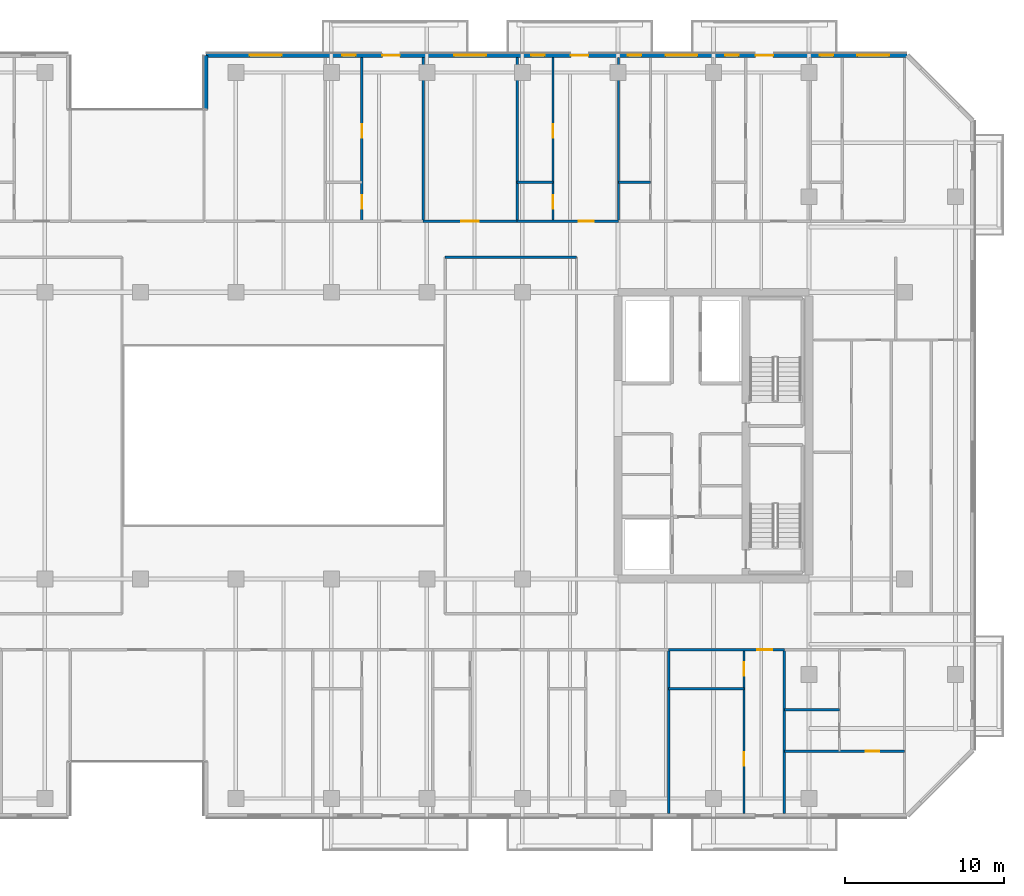
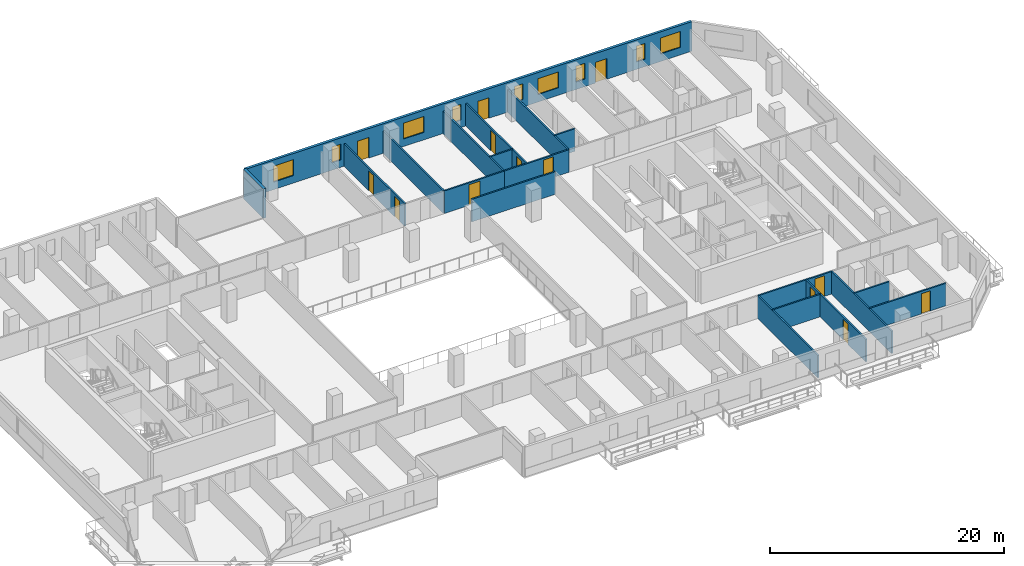
# One storey, part 14 of 23: 19 walls, 13 doors, 9 windows, 22 openings.
"""IFC4 building model written with IfcOpenShell, lengths in metres."""

from ifc_helpers import new_model, si_unit, direction, frame, frame_2d, origin, place, context, subcontext, project, spatial, rectangle, extrude, material, layer, layer_set, type_object, element, fill, save


model = new_model("IFC4")

# Units and contexts
model_context = context("Model", 3, precision=1e-05, world=origin(), true_north=direction((0.0, 1.0)))
body_context = subcontext(model_context, "Body", "Model", "MODEL_VIEW")
ifc_project = project(units=[si_unit("LENGTHUNIT", "METRE"), si_unit("AREAUNIT", "SQUARE_METRE"), si_unit("VOLUMEUNIT", "CUBIC_METRE"), si_unit("PLANEANGLEUNIT", "RADIAN"), si_unit("MASSUNIT", "GRAM", prefix="KILO")], contexts=[model_context])

# Site, building, storey
site_placement = place(None, origin())
site = spatial("IfcSite", under=ifc_project, at=site_placement, CompositionType="ELEMENT")
building_placement = place(site_placement, origin())
building = spatial("IfcBuilding", under=site, at=building_placement, Name="Tanjung Sevakor Pilgrim Tower", CompositionType="ELEMENT")
storey_placement = place(building_placement, frame((0.0, 0.0, 101.969970703125)))
storey = spatial("IfcBuildingStorey", under=building, at=storey_placement, Name="L28", CompositionType="ELEMENT", Elevation=101.969970703125)

# Walls
ifc_material_1 = material(Name="Concrete C40/50", Category="concrete")
ifc_layer_1 = layer(ifc_material_1, 0.14990234375)
ifc_layer_set_1 = layer_set([ifc_layer_1], Name="WT-COMP-150")
wall_type_1 = type_object("IfcWallType", Name="WT-COMP-150", PredefinedType="SOLIDWALL", material=ifc_layer_set_1)
wall_1_placement = place(storey_placement, frame((67.14990234375, 44.800048828125, 0.0), z_axis=(0.0, 0.0, 1.0), x_axis=(1.0, 0.0, 0.0)))
element("IfcWall", 1, at=wall_1_placement, inside=storey, type_object=wall_type_1, Name="L28 Partition IW-L28-030", PredefinedType="SOLIDWALL", context=body_context, shape_type="SweptSolid", body=[
    extrude(rectangle(XDim=8.25, YDim=0.14990234375, at=frame_2d((4.125, 0.0))), origin(), (0.0, 0.0, 1.0), 2.35009765625),
])
for number, where, z_axis, x_axis, name in (
    (2, (81.18701171875, 9.85009765625, 0.0), (0.0, 0.0, 1.0), (0.0, 1.0, 0.0), "L28 Partition IW-L28-068"),
    (3, (88.453857421875, 9.85009765625, 0.0), (0.0, 0.0, 1.0), (0.0, 1.0, 0.0), "L28 Partition IW-L28-072"),
):
    element("IfcWall", number, at=place(storey_placement, frame(where, z_axis=z_axis, x_axis=x_axis)), inside=storey, type_object=wall_type_1, Name=name, PredefinedType="SOLIDWALL", context=body_context, shape_type="SweptSolid", body=[
        extrude(rectangle(XDim=10.2998046875, YDim=0.14990234375, at=frame_2d((5.14990234375, 0.0))), origin(), (0.0, 0.0, 1.0), 2.35009765625),
    ])

# Wall, opening, door
wall_2_placement = place(storey_placement, frame((81.18701171875, 20.14990234375, 0.0), z_axis=(0.0, 0.0, 1.0), x_axis=(1.0, 0.0, 0.0)))
wall_2 = element("IfcWall", 4, at=wall_2_placement, inside=storey, type_object=wall_type_1, Name="L28 Partition IW-L28-075", PredefinedType="SOLIDWALL", context=body_context, shape_type="SweptSolid", body=[
    extrude(rectangle(XDim=7.266845703125, YDim=0.14990234375, at=frame_2d((3.63330078125, 0.0))), origin(), (0.0, 0.0, 1.0), 2.35009765625),
])
opening_1_placement = place(wall_2_placement, frame((5.56494140625, 0.0, 0.0)))
opening_1 = element("IfcOpeningElement", 5, at=opening_1_placement, cuts=wall_2, Name="Opening ID-FD2", PredefinedType="OPENING", context=body_context, shape_type="SweptSolid", body=[
    extrude(rectangle(XDim=0.949951171875, YDim=2.14990234375, at=frame_2d((0.47509765625, 1.074951171875))), frame((0.0, 0.0849609375, 0.0), z_axis=(0.0, -1.0, 0.0), x_axis=(1.0, 0.0, 0.0)), (0.0, 0.0, 1.0), 0.169921875),
])
ifc_material_2 = material(Name="Fire-Rated Timber", Category="wood")
door_type_1 = type_object("IfcDoorType", Name="DT-FIRE-950", OperationType="NOTDEFINED", PredefinedType="DOOR", material=ifc_material_2)
door_1_placement = place(opening_1_placement, origin())
door_1 = element("IfcDoor", 6, at=door_1_placement, inside=storey, type_object=door_type_1, Name="Hostel Quad Entrance", OperationType="SINGLE_SWING_LEFT", OverallHeight=2.14990234375, OverallWidth=0.949951171875, PredefinedType="DOOR", context=body_context, shape_type="SweptSolid", body=[
    extrude(rectangle(XDim=0.949951171875, YDim=2.14990234375, at=frame_2d((0.47509765625, 1.074951171875))), frame((0.0, 0.02490234375, 0.0), z_axis=(0.0, -1.0, 0.0), x_axis=(1.0, 0.0, 0.0)), (0.0, 0.0, 1.0), 0.050048828125),
])
fill(opening_1, door_1)

# Walls
for number, where, z_axis, x_axis, name in (
    (7, (65.761474609375, 47.050048828125, 0.0), (0.0, 0.0, 1.0), (0.0, 1.0, 0.0), "L28 Partition IW-L28-095"),
    (8, (71.6728515625, 47.050048828125, 0.0), (0.0, 0.0, 1.0), (0.0, 1.0, 0.0), "L28 Partition IW-L28-099"),
):
    element("IfcWall", number, at=place(storey_placement, frame(where, z_axis=z_axis, x_axis=x_axis)), inside=storey, type_object=wall_type_1, Name=name, PredefinedType="SOLIDWALL", context=body_context, shape_type="SweptSolid", body=[
        extrude(rectangle(XDim=10.300048828125, YDim=0.14990234375, at=frame_2d((5.14990234375, 0.0))), origin(), (0.0, 0.0, 1.0), 2.35009765625),
    ])

# Wall, opening, door
wall_3_placement = place(storey_placement, frame((65.761474609375, 47.050048828125, 0.0), z_axis=(0.0, 0.0, 1.0), x_axis=(1.0, 0.0, 0.0)))
wall_3 = element("IfcWall", 9, at=wall_3_placement, inside=storey, type_object=wall_type_1, Name="L28 Partition IW-L28-100", PredefinedType="SOLIDWALL", context=body_context, shape_type="SweptSolid", body=[
    extrude(rectangle(XDim=5.911376953125, YDim=0.14990234375, at=frame_2d((2.95556640625, 0.0))), origin(), (0.0, 0.0, 1.0), 2.35009765625),
])
opening_2_placement = place(wall_3_placement, frame((2.405517578125, 0.0, 0.0)))
opening_2 = element("IfcOpeningElement", 10, at=opening_2_placement, cuts=wall_3, Name="Opening ID-FD0", PredefinedType="OPENING", context=body_context, shape_type="SweptSolid", body=[
    extrude(rectangle(XDim=1.10009765625, YDim=2.14990234375, at=frame_2d((0.550048828125, 1.074951171875))), frame((0.0, 0.0849609375, 0.0), z_axis=(0.0, -1.0, 0.0), x_axis=(1.0, 0.0, 0.0)), (0.0, 0.0, 1.0), 0.169921875),
])
ifc_material_3 = material(Name="Fire-Rated Steel S355J2", Category="steel")
door_type_2 = type_object("IfcDoorType", Name="DT-FIRE-1100", OperationType="NOTDEFINED", PredefinedType="DOOR", material=ifc_material_3)
door_2_placement = place(opening_2_placement, origin())
door_2 = element("IfcDoor", 11, at=door_2_placement, inside=storey, type_object=door_type_2, Name="Communal Lounge Door", OperationType="SINGLE_SWING_RIGHT", OverallHeight=2.14990234375, OverallWidth=1.10009765625, PredefinedType="DOOR", context=body_context, shape_type="SweptSolid", body=[
    extrude(rectangle(XDim=1.10009765625, YDim=2.14990234375, at=frame_2d((0.550048828125, 1.074951171875))), frame((0.0, 0.02490234375, 0.0), z_axis=(0.0, -1.0, 0.0), x_axis=(1.0, 0.0, 0.0)), (0.0, 0.0, 1.0), 0.050048828125),
])
fill(opening_2, door_2)

# Wall
wall_4_placement = place(storey_placement, frame((78.038818359375, 47.050048828125, 0.0), z_axis=(0.0, 0.0, 1.0), x_axis=(0.0, 1.0, 0.0)))
element("IfcWall", 12, at=wall_4_placement, inside=storey, type_object=wall_type_1, Name="L28 Partition IW-L28-101", PredefinedType="SOLIDWALL", context=body_context, shape_type="SweptSolid", body=[
    extrude(rectangle(XDim=10.300048828125, YDim=0.14990234375, at=frame_2d((5.14990234375, 0.0))), origin(), (0.0, 0.0, 1.0), 2.35009765625),
])

# Wall, opening, door
wall_5_placement = place(storey_placement, frame((71.6728515625, 47.050048828125, 0.0), z_axis=(0.0, 0.0, 1.0), x_axis=(1.0, 0.0, 0.0)))
wall_5 = element("IfcWall", 13, at=wall_5_placement, inside=storey, type_object=wall_type_1, Name="L28 Partition IW-L28-104", PredefinedType="SOLIDWALL", context=body_context, shape_type="SweptSolid", body=[
    extrude(rectangle(XDim=6.365966796875, YDim=0.14990234375, at=frame_2d((3.18310546875, 0.0))), origin(), (0.0, 0.0, 1.0), 2.35009765625),
])
opening_3_placement = place(wall_5_placement, frame((3.87158203125, 0.0, 0.0)))
opening_3 = element("IfcOpeningElement", 14, at=opening_3_placement, cuts=wall_5, Name="Opening ID-FD2", PredefinedType="OPENING", context=body_context, shape_type="SweptSolid", body=[
    extrude(rectangle(XDim=0.949951171875, YDim=2.14990234375, at=frame_2d((0.47509765625, 1.074951171875))), frame((0.0, 0.0849609375, 0.0), z_axis=(0.0, -1.0, 0.0), x_axis=(1.0, 0.0, 0.0)), (0.0, 0.0, 1.0), 0.169921875),
])
door_3_placement = place(opening_3_placement, origin())
door_3 = element("IfcDoor", 15, at=door_3_placement, inside=storey, type_object=door_type_1, Name="Hostel Quad Entrance", OperationType="SINGLE_SWING_LEFT", OverallHeight=2.14990234375, OverallWidth=0.949951171875, PredefinedType="DOOR", context=body_context, shape_type="SweptSolid", body=[
    extrude(rectangle(XDim=0.949951171875, YDim=2.14990234375, at=frame_2d((0.47509765625, 1.074951171875))), frame((0.0, 0.02490234375, 0.0), z_axis=(0.0, -1.0, 0.0), x_axis=(1.0, 0.0, 0.0)), (0.0, 0.0, 1.0), 0.050048828125),
])
fill(opening_3, door_3)

# Wall, openings, doors, windows
ifc_material_4 = material(Name="Precast concrete C45/55", Category="concrete")
ifc_layer_2 = layer(ifc_material_4, 0.25)
ifc_layer_set_2 = layer_set([ifc_layer_2], Name="WT-EW-STN3")
wall_type_2 = type_object("IfcWallType", Name="WT-EW-STN3", PredefinedType="SOLIDWALL", material=ifc_layer_set_2)
wall_6_placement = place(storey_placement, frame((96.148193359375, 57.47509765625, 0.0), z_axis=(0.0, 0.0, 1.0), x_axis=(-1.0, 0.0, 0.0)))
wall_6 = element("IfcWall", 16, at=wall_6_placement, inside=storey, type_object=wall_type_2, Name="L28 MAIN Exterior Wall 9", PredefinedType="SOLIDWALL", context=body_context, shape_type="SweptSolid", body=[
    extrude(rectangle(XDim=44.023193359375, YDim=0.25, at=frame_2d((22.01171875, 0.0))), origin(), (0.0, 0.0, 1.0), 3.080078125),
])
opening_4_placement = place(wall_6_placement, frame((31.84814453125, 0.0, 0.0)))
opening_4 = element("IfcOpeningElement", 17, at=opening_4_placement, cuts=wall_6, Name="Opening ED-BAL-1100", PredefinedType="OPENING", context=body_context, shape_type="SweptSolid", body=[
    extrude(rectangle(XDim=1.10009765625, YDim=2.14990234375, at=frame_2d((0.550048828125, 1.074951171875))), frame((0.0, 0.135009765625, 0.0), z_axis=(0.0, -1.0, 0.0), x_axis=(1.0, 0.0, 0.0)), (0.0, 0.0, 1.0), 0.27001953125),
])
opening_5_placement = place(wall_6_placement, frame((19.998291015625, 0.0, 0.0)))
opening_5 = element("IfcOpeningElement", 18, at=opening_5_placement, cuts=wall_6, Name="Opening ED-BAL-1100", PredefinedType="OPENING", context=body_context, shape_type="SweptSolid", body=[
    extrude(rectangle(XDim=1.10009765625, YDim=2.14990234375, at=frame_2d((0.550048828125, 1.074951171875))), frame((0.0, 0.135009765625, 0.0), z_axis=(0.0, -1.0, 0.0), x_axis=(1.0, 0.0, 0.0)), (0.0, 0.0, 1.0), 0.27001953125),
])
opening_6_placement = place(wall_6_placement, frame((8.398193359375, 0.0, 0.0)))
opening_6 = element("IfcOpeningElement", 19, at=opening_6_placement, cuts=wall_6, Name="Opening ED-BAL-1100", PredefinedType="OPENING", context=body_context, shape_type="SweptSolid", body=[
    extrude(rectangle(XDim=1.10009765625, YDim=2.14990234375, at=frame_2d((0.550048828125, 1.074951171875))), frame((0.0, 0.135009765625, 0.0), z_axis=(0.0, -1.0, 0.0), x_axis=(1.0, 0.0, 0.0)), (0.0, 0.0, 1.0), 0.27001953125),
])
opening_7_placement = place(wall_6_placement, frame((39.27685546875, 0.0, 0.780029296875)))
opening_7 = element("IfcOpeningElement", 20, at=opening_7_placement, cuts=wall_6, Name="Opening WN-Z2-1660", PredefinedType="OPENING", context=body_context, shape_type="SweptSolid", body=[
    extrude(rectangle(XDim=2.0, YDim=1.659912109375, at=frame_2d((1.0, 0.830078125))), frame((0.0, 0.135009765625, 0.0), z_axis=(0.0, -1.0, 0.0), x_axis=(1.0, 0.0, 0.0)), (0.0, 0.0, 1.0), 0.27001953125),
])
opening_8_placement = place(wall_6_placement, frame((34.621826171875, 0.0, 0.780029296875)))
opening_8 = element("IfcOpeningElement", 21, at=opening_8_placement, cuts=wall_6, Name="Opening WN-SLM", PredefinedType="OPENING", context=body_context, shape_type="SweptSolid", body=[
    extrude(rectangle(XDim=0.85009765625, YDim=1.64990234375, at=frame_2d((0.425048828125, 0.824951171875))), frame((0.0, 0.135009765625, 0.0), z_axis=(0.0, -1.0, 0.0), x_axis=(1.0, 0.0, 0.0)), (0.0, 0.0, 1.0), 0.27001953125),
])
opening_9_placement = place(wall_6_placement, frame((26.43115234375, 0.0, 0.780029296875)))
opening_9 = element("IfcOpeningElement", 22, at=opening_9_placement, cuts=wall_6, Name="Opening WN-Z2-1660", PredefinedType="OPENING", context=body_context, shape_type="SweptSolid", body=[
    extrude(rectangle(XDim=2.0, YDim=1.659912109375, at=frame_2d((1.0, 0.830078125))), frame((0.0, 0.135009765625, 0.0), z_axis=(0.0, -1.0, 0.0), x_axis=(1.0, 0.0, 0.0)), (0.0, 0.0, 1.0), 0.27001953125),
])
opening_10_placement = place(wall_6_placement, frame((22.7568359375, 0.0, 0.780029296875)))
opening_10 = element("IfcOpeningElement", 23, at=opening_10_placement, cuts=wall_6, Name="Opening WN-SLM", PredefinedType="OPENING", context=body_context, shape_type="SweptSolid", body=[
    extrude(rectangle(XDim=0.85009765625, YDim=1.64990234375, at=frame_2d((0.425048828125, 0.824951171875))), frame((0.0, 0.135009765625, 0.0), z_axis=(0.0, -1.0, 0.0), x_axis=(1.0, 0.0, 0.0)), (0.0, 0.0, 1.0), 0.27001953125),
])
opening_11_placement = place(wall_6_placement, frame((16.66943359375, 0.0, 0.780029296875)))
opening_11 = element("IfcOpeningElement", 24, at=opening_11_placement, cuts=wall_6, Name="Opening WN-SLM", PredefinedType="OPENING", context=body_context, shape_type="SweptSolid", body=[
    extrude(rectangle(XDim=0.85009765625, YDim=1.64990234375, at=frame_2d((0.425048828125, 0.824951171875))), frame((0.0, 0.135009765625, 0.0), z_axis=(0.0, -1.0, 0.0), x_axis=(1.0, 0.0, 0.0)), (0.0, 0.0, 1.0), 0.27001953125),
])
opening_12_placement = place(wall_6_placement, frame((13.158935546875, 0.0, 0.780029296875)))
opening_12 = element("IfcOpeningElement", 25, at=opening_12_placement, cuts=wall_6, Name="Opening WN-Z2-1660", PredefinedType="OPENING", context=body_context, shape_type="SweptSolid", body=[
    extrude(rectangle(XDim=2.0, YDim=1.659912109375, at=frame_2d((1.0, 0.830078125))), frame((0.0, 0.135009765625, 0.0), z_axis=(0.0, -1.0, 0.0), x_axis=(1.0, 0.0, 0.0)), (0.0, 0.0, 1.0), 0.27001953125),
])
opening_13_placement = place(wall_6_placement, frame((10.5595703125, 0.0, 0.780029296875)))
opening_13 = element("IfcOpeningElement", 26, at=opening_13_placement, cuts=wall_6, Name="Opening WN-SLM", PredefinedType="OPENING", context=body_context, shape_type="SweptSolid", body=[
    extrude(rectangle(XDim=0.85009765625, YDim=1.64990234375, at=frame_2d((0.425048828125, 0.824951171875))), frame((0.0, 0.135009765625, 0.0), z_axis=(0.0, -1.0, 0.0), x_axis=(1.0, 0.0, 0.0)), (0.0, 0.0, 1.0), 0.27001953125),
])
opening_14_placement = place(wall_6_placement, frame((4.619384765625, 0.0, 0.780029296875)))
opening_14 = element("IfcOpeningElement", 27, at=opening_14_placement, cuts=wall_6, Name="Opening WN-SLM", PredefinedType="OPENING", context=body_context, shape_type="SweptSolid", body=[
    extrude(rectangle(XDim=0.85009765625, YDim=1.64990234375, at=frame_2d((0.425048828125, 0.824951171875))), frame((0.0, 0.135009765625, 0.0), z_axis=(0.0, -1.0, 0.0), x_axis=(1.0, 0.0, 0.0)), (0.0, 0.0, 1.0), 0.27001953125),
])
opening_15_placement = place(wall_6_placement, frame((1.10888671875, 0.0, 0.780029296875)))
opening_15 = element("IfcOpeningElement", 28, at=opening_15_placement, cuts=wall_6, Name="Opening WN-Z2-1660", PredefinedType="OPENING", context=body_context, shape_type="SweptSolid", body=[
    extrude(rectangle(XDim=2.0, YDim=1.659912109375, at=frame_2d((1.0, 0.830078125))), frame((0.0, 0.135009765625, 0.0), z_axis=(0.0, -1.0, 0.0), x_axis=(1.0, 0.0, 0.0)), (0.0, 0.0, 1.0), 0.27001953125),
])
ifc_material_5 = material(Name="Anodised Aluminium and Laminated Glass", Category="aluminium")
door_type_3 = type_object("IfcDoorType", Name="DTYP-ED-BAL-1100", OperationType="NOTDEFINED", PredefinedType="DOOR", material=ifc_material_5)
door_4_placement = place(opening_4_placement, frame((1.10009765625, 0.0, 0.0), z_axis=(0.0, 0.0, 1.0), x_axis=(-1.0, 0.0, 0.0)))
door_4 = element("IfcDoor", 29, at=door_4_placement, inside=storey, type_object=door_type_3, Name="L28 Balcony Door MAIN-N2", OperationType="SINGLE_SWING_RIGHT", OverallHeight=2.14990234375, OverallWidth=1.10009765625, PredefinedType="DOOR", context=body_context, shape_type="SweptSolid", body=[
    extrude(rectangle(XDim=1.10009765625, YDim=2.14990234375, at=frame_2d((0.550048828125, 1.074951171875))), frame((0.0, 0.02490234375, 0.0), z_axis=(0.0, -1.0, 0.0), x_axis=(1.0, 0.0, 0.0)), (0.0, 0.0, 1.0), 0.050048828125),
])
fill(opening_4, door_4)
door_5_placement = place(opening_5_placement, frame((1.10009765625, 0.0, 0.0), z_axis=(0.0, 0.0, 1.0), x_axis=(-1.0, 0.0, 0.0)))
door_5 = element("IfcDoor", 30, at=door_5_placement, inside=storey, type_object=door_type_3, Name="L28 Balcony Door MAIN-N3", OperationType="SINGLE_SWING_LEFT", OverallHeight=2.14990234375, OverallWidth=1.10009765625, PredefinedType="DOOR", context=body_context, shape_type="SweptSolid", body=[
    extrude(rectangle(XDim=1.10009765625, YDim=2.14990234375, at=frame_2d((0.550048828125, 1.074951171875))), frame((0.0, 0.02490234375, 0.0), z_axis=(0.0, -1.0, 0.0), x_axis=(1.0, 0.0, 0.0)), (0.0, 0.0, 1.0), 0.050048828125),
])
fill(opening_5, door_5)
door_6_placement = place(opening_6_placement, frame((1.10009765625, 0.0, 0.0), z_axis=(0.0, 0.0, 1.0), x_axis=(-1.0, 0.0, 0.0)))
door_6 = element("IfcDoor", 31, at=door_6_placement, inside=storey, type_object=door_type_3, Name="L28 Balcony Door MAIN-N4", OperationType="SINGLE_SWING_RIGHT", OverallHeight=2.14990234375, OverallWidth=1.10009765625, PredefinedType="DOOR", context=body_context, shape_type="SweptSolid", body=[
    extrude(rectangle(XDim=1.10009765625, YDim=2.14990234375, at=frame_2d((0.550048828125, 1.074951171875))), frame((0.0, 0.02490234375, 0.0), z_axis=(0.0, -1.0, 0.0), x_axis=(1.0, 0.0, 0.0)), (0.0, 0.0, 1.0), 0.050048828125),
])
fill(opening_6, door_6)
ifc_material_6 = material(Name="Thermally Broken Aluminium and Low-E Glass", Category="aluminium")
window_type_1 = type_object("IfcWindowType", Name="WTYP-WN-SLM", PartitioningType="SINGLE_PANEL", PredefinedType="WINDOW", material=ifc_material_6)
window_1_placement = place(opening_8_placement, origin())
window_1 = element("IfcWindow", 32, at=window_1_placement, inside=storey, type_object=window_type_1, Name="L28 Facade Window 02", OverallHeight=1.64990234375, OverallWidth=0.85009765625, PartitioningType="SINGLE_PANEL", PredefinedType="WINDOW", context=body_context, shape_type="SweptSolid", body=[
    extrude(rectangle(XDim=0.85009765625, YDim=1.64990234375, at=frame_2d((0.425048828125, 0.824951171875))), frame((0.0, 0.030029296875, 0.0), z_axis=(0.0, -1.0, 0.0), x_axis=(1.0, 0.0, 0.0)), (0.0, 0.0, 1.0), 0.06005859375),
])
fill(opening_8, window_1)
window_2_placement = place(opening_10_placement, origin())
window_2 = element("IfcWindow", 33, at=window_2_placement, inside=storey, type_object=window_type_1, Name="L28 Facade Window 04", OverallHeight=1.64990234375, OverallWidth=0.85009765625, PartitioningType="SINGLE_PANEL", PredefinedType="WINDOW", context=body_context, shape_type="SweptSolid", body=[
    extrude(rectangle(XDim=0.85009765625, YDim=1.64990234375, at=frame_2d((0.425048828125, 0.824951171875))), frame((0.0, 0.030029296875, 0.0), z_axis=(0.0, -1.0, 0.0), x_axis=(1.0, 0.0, 0.0)), (0.0, 0.0, 1.0), 0.06005859375),
])
fill(opening_10, window_2)
window_3_placement = place(opening_11_placement, origin())
window_3 = element("IfcWindow", 34, at=window_3_placement, inside=storey, type_object=window_type_1, Name="L28 Facade Window 05", OverallHeight=1.64990234375, OverallWidth=0.85009765625, PartitioningType="SINGLE_PANEL", PredefinedType="WINDOW", context=body_context, shape_type="SweptSolid", body=[
    extrude(rectangle(XDim=0.85009765625, YDim=1.64990234375, at=frame_2d((0.425048828125, 0.824951171875))), frame((0.0, 0.030029296875, 0.0), z_axis=(0.0, -1.0, 0.0), x_axis=(1.0, 0.0, 0.0)), (0.0, 0.0, 1.0), 0.06005859375),
])
fill(opening_11, window_3)
window_4_placement = place(opening_13_placement, origin())
window_4 = element("IfcWindow", 35, at=window_4_placement, inside=storey, type_object=window_type_1, Name="L28 Facade Window 07", OverallHeight=1.64990234375, OverallWidth=0.85009765625, PartitioningType="SINGLE_PANEL", PredefinedType="WINDOW", context=body_context, shape_type="SweptSolid", body=[
    extrude(rectangle(XDim=0.85009765625, YDim=1.64990234375, at=frame_2d((0.425048828125, 0.824951171875))), frame((0.0, 0.030029296875, 0.0), z_axis=(0.0, -1.0, 0.0), x_axis=(1.0, 0.0, 0.0)), (0.0, 0.0, 1.0), 0.06005859375),
])
fill(opening_13, window_4)
window_5_placement = place(opening_14_placement, origin())
window_5 = element("IfcWindow", 36, at=window_5_placement, inside=storey, type_object=window_type_1, Name="L28 Facade Window 08", OverallHeight=1.64990234375, OverallWidth=0.85009765625, PartitioningType="SINGLE_PANEL", PredefinedType="WINDOW", context=body_context, shape_type="SweptSolid", body=[
    extrude(rectangle(XDim=0.85009765625, YDim=1.64990234375, at=frame_2d((0.425048828125, 0.824951171875))), frame((0.0, 0.030029296875, 0.0), z_axis=(0.0, -1.0, 0.0), x_axis=(1.0, 0.0, 0.0)), (0.0, 0.0, 1.0), 0.06005859375),
])
fill(opening_14, window_5)
ifc_material_7 = material(Name="Thermally Broken Aluminium and Low-E Glass", Category="aluminium")
window_type_2 = type_object("IfcWindowType", Name="WTYP-WN-Z2-1660", PartitioningType="DOUBLE_PANEL_VERTICAL", PredefinedType="WINDOW", material=ifc_material_7)
window_6_placement = place(opening_7_placement, origin())
window_6 = element("IfcWindow", 37, at=window_6_placement, inside=storey, type_object=window_type_2, Name="L28 Facade Window 01", OverallHeight=1.659912109375, OverallWidth=2.0, PartitioningType="SINGLE_PANEL", PredefinedType="WINDOW", context=body_context, shape_type="SweptSolid", body=[
    extrude(rectangle(XDim=2.0, YDim=1.659912109375, at=frame_2d((1.0, 0.830078125))), frame((0.0, 0.030029296875, 0.0), z_axis=(0.0, -1.0, 0.0), x_axis=(1.0, 0.0, 0.0)), (0.0, 0.0, 1.0), 0.06005859375),
])
fill(opening_7, window_6)
window_7_placement = place(opening_9_placement, origin())
window_7 = element("IfcWindow", 38, at=window_7_placement, inside=storey, type_object=window_type_2, Name="L28 Facade Window 03", OverallHeight=1.659912109375, OverallWidth=2.0, PartitioningType="SINGLE_PANEL", PredefinedType="WINDOW", context=body_context, shape_type="SweptSolid", body=[
    extrude(rectangle(XDim=2.0, YDim=1.659912109375, at=frame_2d((1.0, 0.830078125))), frame((0.0, 0.030029296875, 0.0), z_axis=(0.0, -1.0, 0.0), x_axis=(1.0, 0.0, 0.0)), (0.0, 0.0, 1.0), 0.06005859375),
])
fill(opening_9, window_7)
window_8_placement = place(opening_12_placement, origin())
window_8 = element("IfcWindow", 39, at=window_8_placement, inside=storey, type_object=window_type_2, Name="L28 Facade Window 06", OverallHeight=1.659912109375, OverallWidth=2.0, PartitioningType="SINGLE_PANEL", PredefinedType="WINDOW", context=body_context, shape_type="SweptSolid", body=[
    extrude(rectangle(XDim=2.0, YDim=1.659912109375, at=frame_2d((1.0, 0.830078125))), frame((0.0, 0.030029296875, 0.0), z_axis=(0.0, -1.0, 0.0), x_axis=(1.0, 0.0, 0.0)), (0.0, 0.0, 1.0), 0.06005859375),
])
fill(opening_12, window_8)
window_9_placement = place(opening_15_placement, origin())
window_9 = element("IfcWindow", 40, at=window_9_placement, inside=storey, type_object=window_type_2, Name="L28 Facade Window 09", OverallHeight=1.659912109375, OverallWidth=2.0, PartitioningType="SINGLE_PANEL", PredefinedType="WINDOW", context=body_context, shape_type="SweptSolid", body=[
    extrude(rectangle(XDim=2.0, YDim=1.659912109375, at=frame_2d((1.0, 0.830078125))), frame((0.0, 0.030029296875, 0.0), z_axis=(0.0, -1.0, 0.0), x_axis=(1.0, 0.0, 0.0)), (0.0, 0.0, 1.0), 0.06005859375),
])
fill(opening_15, window_9)

# Walls
wall_7_placement = place(storey_placement, frame((52.125, 57.47509765625, 0.0), z_axis=(0.0, 0.0, 1.0), x_axis=(0.0, -1.0, 0.0)))
element("IfcWall", 41, at=wall_7_placement, inside=storey, type_object=wall_type_2, Name="L28 MAIN Exterior Wall 10", PredefinedType="SOLIDWALL", context=body_context, shape_type="SweptSolid", body=[
    extrude(rectangle(XDim=3.400146484375, YDim=0.25, at=frame_2d((1.7001953125, 0.0))), origin(), (0.0, 0.0, 1.0), 3.080078125),
])
ifc_material_8 = material(Name="Gypsum Board Partition", Category="gypsum board")
ifc_layer_3 = layer(ifc_material_8, 0.14990234375)
ifc_layer_set_3 = layer_set([ifc_layer_3], Name="WT-PART-150")
wall_type_3 = type_object("IfcWallType", Name="WT-PART-150", PredefinedType="PARTITIONING", material=ifc_layer_set_3)
wall_8_placement = place(storey_placement, frame((81.18701171875, 17.699951171875, 0.0), z_axis=(0.0, 0.0, 1.0), x_axis=(1.0, 0.0, 0.0)))
element("IfcWall", 42, at=wall_8_placement, inside=storey, type_object=wall_type_3, Name="L28 Partition IW-L28-073", PredefinedType="PARTITIONING", context=body_context, shape_type="SweptSolid", body=[
    extrude(rectangle(XDim=4.73291015625, YDim=0.14990234375, at=frame_2d((2.366455078125, 0.0))), origin(), (0.0, 0.0, 1.0), 2.35009765625),
])

# Wall, openings, doors
wall_9_placement = place(storey_placement, frame((85.919921875, 9.85009765625, 0.0), z_axis=(0.0, 0.0, 1.0), x_axis=(0.0, 1.0, 0.0)))
wall_9 = element("IfcWall", 43, at=wall_9_placement, inside=storey, type_object=wall_type_3, Name="L28 Partition IW-L28-074", PredefinedType="PARTITIONING", context=body_context, shape_type="SweptSolid", body=[
    extrude(rectangle(XDim=10.2998046875, YDim=0.14990234375, at=frame_2d((5.14990234375, 0.0))), origin(), (0.0, 0.0, 1.0), 2.35009765625),
])
opening_16_placement = place(wall_9_placement, frame((3.0, 0.0, 0.0)))
opening_16 = element("IfcOpeningElement", 44, at=opening_16_placement, cuts=wall_9, Name="Opening ID-WC1", PredefinedType="OPENING", context=body_context, shape_type="SweptSolid", body=[
    extrude(rectangle(XDim=0.85009765625, YDim=2.10009765625, at=frame_2d((0.425048828125, 1.050048828125))), frame((0.0, 0.0849609375, 0.0), z_axis=(0.0, -1.0, 0.0), x_axis=(1.0, 0.0, 0.0)), (0.0, 0.0, 1.0), 0.169921875),
])
opening_17_placement = place(wall_9_placement, frame((8.64990234375, 0.0, 0.0)))
opening_17 = element("IfcOpeningElement", 45, at=opening_17_placement, cuts=wall_9, Name="Opening ID-WC1", PredefinedType="OPENING", context=body_context, shape_type="SweptSolid", body=[
    extrude(rectangle(XDim=0.85009765625, YDim=2.10009765625, at=frame_2d((0.425048828125, 1.050048828125))), frame((0.0, 0.0849609375, 0.0), z_axis=(0.0, -1.0, 0.0), x_axis=(1.0, 0.0, 0.0)), (0.0, 0.0, 1.0), 0.169921875),
])
ifc_material_9 = material(Name="Moisture-Resistant Timber", Category="wood")
door_type_4 = type_object("IfcDoorType", Name="DT-INT-850", OperationType="NOTDEFINED", PredefinedType="DOOR", material=ifc_material_9)
door_7_placement = place(opening_16_placement, origin())
door_7 = element("IfcDoor", 46, at=door_7_placement, inside=storey, type_object=door_type_4, Name="Study Nook Door", OperationType="SINGLE_SWING_LEFT", OverallHeight=2.10009765625, OverallWidth=0.85009765625, PredefinedType="DOOR", context=body_context, shape_type="SweptSolid", body=[
    extrude(rectangle(XDim=0.85009765625, YDim=2.10009765625, at=frame_2d((0.425048828125, 1.050048828125))), frame((0.0, 0.02490234375, 0.0), z_axis=(0.0, -1.0, 0.0), x_axis=(1.0, 0.0, 0.0)), (0.0, 0.0, 1.0), 0.050048828125),
])
fill(opening_16, door_7)
door_8_placement = place(opening_17_placement, origin())
door_8 = element("IfcDoor", 47, at=door_8_placement, inside=storey, type_object=door_type_4, Name="Bathroom Door", OperationType="SINGLE_SWING_RIGHT", OverallHeight=2.10009765625, OverallWidth=0.85009765625, PredefinedType="DOOR", context=body_context, shape_type="SweptSolid", body=[
    extrude(rectangle(XDim=0.85009765625, YDim=2.10009765625, at=frame_2d((0.425048828125, 1.050048828125))), frame((0.0, 0.02490234375, 0.0), z_axis=(0.0, -1.0, 0.0), x_axis=(1.0, 0.0, 0.0)), (0.0, 0.0, 1.0), 0.050048828125),
])
fill(opening_17, door_8)

# Wall
wall_10_placement = place(storey_placement, frame((88.453857421875, 16.37939453125, 0.0), z_axis=(0.0, 0.0, 1.0), x_axis=(1.0, 0.0, 0.0)))
element("IfcWall", 48, at=wall_10_placement, inside=storey, type_object=wall_type_3, Name="L28 Partition IW-L28-076", PredefinedType="PARTITIONING", context=body_context, shape_type="SweptSolid", body=[
    extrude(rectangle(XDim=3.466064453125, YDim=0.14990234375, at=frame_2d((1.73291015625, 0.0))), origin(), (0.0, 0.0, 1.0), 2.35009765625),
])

# Wall, opening, door
wall_11_placement = place(storey_placement, frame((88.453857421875, 13.75927734375, 0.0), z_axis=(0.0, 0.0, 1.0), x_axis=(1.0, 0.0, 0.0)))
wall_11 = element("IfcWall", 49, at=wall_11_placement, inside=storey, type_object=wall_type_3, Name="L28 Partition IW-L28-078", PredefinedType="PARTITIONING", context=body_context, shape_type="SweptSolid", body=[
    extrude(rectangle(XDim=7.546142578125, YDim=0.14990234375, at=frame_2d((3.77294921875, 0.0))), origin(), (0.0, 0.0, 1.0), 2.35009765625),
])
opening_18_placement = place(wall_11_placement, frame((5.12109375, 0.0, 0.0)))
opening_18 = element("IfcOpeningElement", 50, at=opening_18_placement, cuts=wall_11, Name="Opening ID-WC1", PredefinedType="OPENING", context=body_context, shape_type="SweptSolid", body=[
    extrude(rectangle(XDim=0.85009765625, YDim=2.10009765625, at=frame_2d((0.425048828125, 1.050048828125))), frame((0.0, 0.0849609375, 0.0), z_axis=(0.0, -1.0, 0.0), x_axis=(1.0, 0.0, 0.0)), (0.0, 0.0, 1.0), 0.169921875),
])
door_9_placement = place(opening_18_placement, origin())
door_9 = element("IfcDoor", 51, at=door_9_placement, inside=storey, type_object=door_type_4, Name="Residence Bedroom Door", OperationType="SINGLE_SWING_RIGHT", OverallHeight=2.10009765625, OverallWidth=0.85009765625, PredefinedType="DOOR", context=body_context, shape_type="SweptSolid", body=[
    extrude(rectangle(XDim=0.85009765625, YDim=2.10009765625, at=frame_2d((0.425048828125, 1.050048828125))), frame((0.0, 0.02490234375, 0.0), z_axis=(0.0, -1.0, 0.0), x_axis=(1.0, 0.0, 0.0)), (0.0, 0.0, 1.0), 0.050048828125),
])
fill(opening_18, door_9)

# Wall, openings, doors
wall_12_placement = place(storey_placement, frame((61.919921875, 47.050048828125, 0.0), z_axis=(0.0, 0.0, 1.0), x_axis=(0.0, 1.0, 0.0)))
wall_12 = element("IfcWall", 52, at=wall_12_placement, inside=storey, type_object=wall_type_3, Name="L28 Partition IW-L28-097", PredefinedType="PARTITIONING", context=body_context, shape_type="SweptSolid", body=[
    extrude(rectangle(XDim=10.300048828125, YDim=0.14990234375, at=frame_2d((5.14990234375, 0.0))), origin(), (0.0, 0.0, 1.0), 2.35009765625),
])
opening_19_placement = place(wall_12_placement, frame((0.800048828125, 0.0, 0.0)))
opening_19 = element("IfcOpeningElement", 53, at=opening_19_placement, cuts=wall_12, Name="Opening ID-WC1", PredefinedType="OPENING", context=body_context, shape_type="SweptSolid", body=[
    extrude(rectangle(XDim=0.85009765625, YDim=2.10009765625, at=frame_2d((0.425048828125, 1.050048828125))), frame((0.0, 0.0849609375, 0.0), z_axis=(0.0, -1.0, 0.0), x_axis=(1.0, 0.0, 0.0)), (0.0, 0.0, 1.0), 0.169921875),
])
opening_20_placement = place(wall_12_placement, frame((5.25, 0.0, 0.0)))
opening_20 = element("IfcOpeningElement", 54, at=opening_20_placement, cuts=wall_12, Name="Opening ID-WC1", PredefinedType="OPENING", context=body_context, shape_type="SweptSolid", body=[
    extrude(rectangle(XDim=0.85009765625, YDim=2.10009765625, at=frame_2d((0.425048828125, 1.050048828125))), frame((0.0, 0.0849609375, 0.0), z_axis=(0.0, -1.0, 0.0), x_axis=(1.0, 0.0, 0.0)), (0.0, 0.0, 1.0), 0.169921875),
])
door_10_placement = place(opening_19_placement, origin())
door_10 = element("IfcDoor", 55, at=door_10_placement, inside=storey, type_object=door_type_4, Name="Bathroom Door", OperationType="SINGLE_SWING_LEFT", OverallHeight=2.10009765625, OverallWidth=0.85009765625, PredefinedType="DOOR", context=body_context, shape_type="SweptSolid", body=[
    extrude(rectangle(XDim=0.85009765625, YDim=2.10009765625, at=frame_2d((0.425048828125, 1.050048828125))), frame((0.0, 0.02490234375, 0.0), z_axis=(0.0, -1.0, 0.0), x_axis=(1.0, 0.0, 0.0)), (0.0, 0.0, 1.0), 0.050048828125),
])
fill(opening_19, door_10)
door_11_placement = place(opening_20_placement, origin())
door_11 = element("IfcDoor", 56, at=door_11_placement, inside=storey, type_object=door_type_4, Name="Study Nook Door", OperationType="SINGLE_SWING_RIGHT", OverallHeight=2.10009765625, OverallWidth=0.85009765625, PredefinedType="DOOR", context=body_context, shape_type="SweptSolid", body=[
    extrude(rectangle(XDim=0.85009765625, YDim=2.10009765625, at=frame_2d((0.425048828125, 1.050048828125))), frame((0.0, 0.02490234375, 0.0), z_axis=(0.0, -1.0, 0.0), x_axis=(1.0, 0.0, 0.0)), (0.0, 0.0, 1.0), 0.050048828125),
])
fill(opening_20, door_11)

# Wall
wall_13_placement = place(storey_placement, frame((71.6728515625, 49.5, 0.0), z_axis=(0.0, 0.0, 1.0), x_axis=(1.0, 0.0, 0.0)))
element("IfcWall", 57, at=wall_13_placement, inside=storey, type_object=wall_type_3, Name="L28 Partition IW-L28-102", PredefinedType="PARTITIONING", context=body_context, shape_type="SweptSolid", body=[
    extrude(rectangle(XDim=2.2470703125, YDim=0.14990234375, at=frame_2d((1.12353515625, 0.0))), origin(), (0.0, 0.0, 1.0), 2.35009765625),
])

# Wall, openings, doors
wall_14_placement = place(storey_placement, frame((73.919921875, 47.050048828125, 0.0), z_axis=(0.0, 0.0, 1.0), x_axis=(0.0, 1.0, 0.0)))
wall_14 = element("IfcWall", 58, at=wall_14_placement, inside=storey, type_object=wall_type_3, Name="L28 Partition IW-L28-103", PredefinedType="PARTITIONING", context=body_context, shape_type="SweptSolid", body=[
    extrude(rectangle(XDim=10.300048828125, YDim=0.14990234375, at=frame_2d((5.14990234375, 0.0))), origin(), (0.0, 0.0, 1.0), 2.35009765625),
])
opening_21_placement = place(wall_14_placement, frame((0.800048828125, 0.0, 0.0)))
opening_21 = element("IfcOpeningElement", 59, at=opening_21_placement, cuts=wall_14, Name="Opening ID-WC1", PredefinedType="OPENING", context=body_context, shape_type="SweptSolid", body=[
    extrude(rectangle(XDim=0.85009765625, YDim=2.10009765625, at=frame_2d((0.425048828125, 1.050048828125))), frame((0.0, 0.0849609375, 0.0), z_axis=(0.0, -1.0, 0.0), x_axis=(1.0, 0.0, 0.0)), (0.0, 0.0, 1.0), 0.169921875),
])
opening_22_placement = place(wall_14_placement, frame((5.25, 0.0, 0.0)))
opening_22 = element("IfcOpeningElement", 60, at=opening_22_placement, cuts=wall_14, Name="Opening ID-WC1", PredefinedType="OPENING", context=body_context, shape_type="SweptSolid", body=[
    extrude(rectangle(XDim=0.85009765625, YDim=2.10009765625, at=frame_2d((0.425048828125, 1.050048828125))), frame((0.0, 0.0849609375, 0.0), z_axis=(0.0, -1.0, 0.0), x_axis=(1.0, 0.0, 0.0)), (0.0, 0.0, 1.0), 0.169921875),
])
door_12_placement = place(opening_21_placement, origin())
door_12 = element("IfcDoor", 61, at=door_12_placement, inside=storey, type_object=door_type_4, Name="Bathroom Door", OperationType="SINGLE_SWING_LEFT", OverallHeight=2.10009765625, OverallWidth=0.85009765625, PredefinedType="DOOR", context=body_context, shape_type="SweptSolid", body=[
    extrude(rectangle(XDim=0.85009765625, YDim=2.10009765625, at=frame_2d((0.425048828125, 1.050048828125))), frame((0.0, 0.02490234375, 0.0), z_axis=(0.0, -1.0, 0.0), x_axis=(1.0, 0.0, 0.0)), (0.0, 0.0, 1.0), 0.050048828125),
])
fill(opening_21, door_12)
door_13_placement = place(opening_22_placement, origin())
door_13 = element("IfcDoor", 62, at=door_13_placement, inside=storey, type_object=door_type_4, Name="Study Nook Door", OperationType="SINGLE_SWING_RIGHT", OverallHeight=2.10009765625, OverallWidth=0.85009765625, PredefinedType="DOOR", context=body_context, shape_type="SweptSolid", body=[
    extrude(rectangle(XDim=0.85009765625, YDim=2.10009765625, at=frame_2d((0.425048828125, 1.050048828125))), frame((0.0, 0.02490234375, 0.0), z_axis=(0.0, -1.0, 0.0), x_axis=(1.0, 0.0, 0.0)), (0.0, 0.0, 1.0), 0.050048828125),
])
fill(opening_22, door_13)

# Wall
wall_15_placement = place(storey_placement, frame((78.038818359375, 49.5, 0.0), z_axis=(0.0, 0.0, 1.0), x_axis=(1.0, 0.0, 0.0)))
element("IfcWall", 63, at=wall_15_placement, inside=storey, type_object=wall_type_3, Name="L28 Partition IW-L28-106", PredefinedType="PARTITIONING", context=body_context, shape_type="SweptSolid", body=[
    extrude(rectangle(XDim=2.009765625, YDim=0.14990234375, at=frame_2d((1.0048828125, 0.0))), origin(), (0.0, 0.0, 1.0), 2.35009765625),
])

save(model, "model.ifc")
